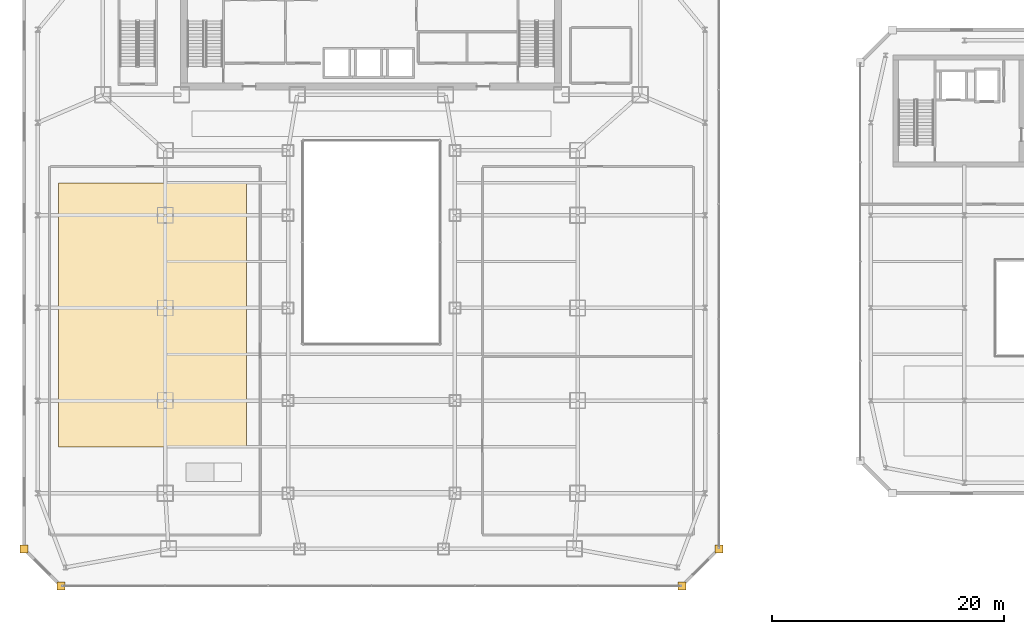
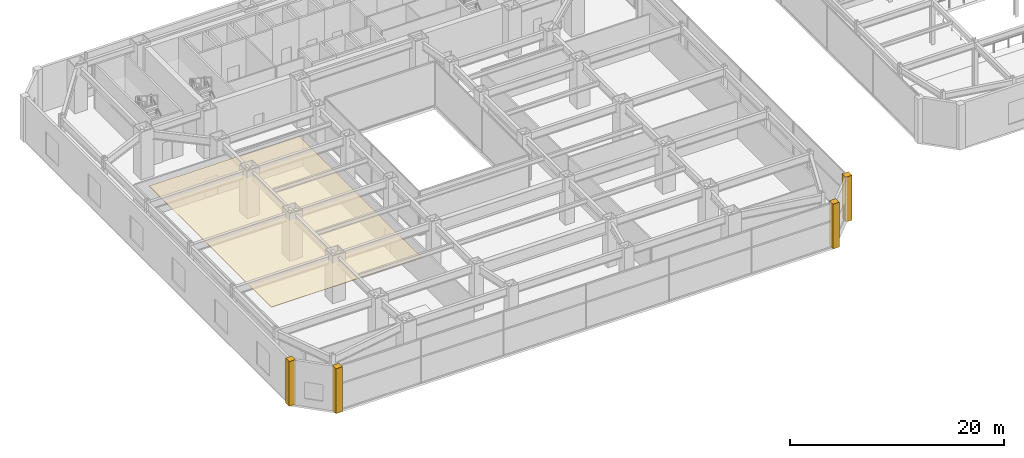
# One storey, part 45 of 52: 5 coverings.
"""IFC4 building model written with IfcOpenShell, lengths in metres."""

from ifc_helpers import new_model, si_unit, direction, frame, origin, place, context, subcontext, project, spatial, polyline, outline, extrude, material, layer, layer_set, type_object, element, save


model = new_model("IFC4")

# Units and contexts
model_context = context("Model", 3, precision=1e-05, world=origin(), true_north=direction((0.0, 1.0)))
body_context = subcontext(model_context, "Body", "Model", "MODEL_VIEW")
ifc_project = project(units=[si_unit("LENGTHUNIT", "METRE"), si_unit("AREAUNIT", "SQUARE_METRE"), si_unit("VOLUMEUNIT", "CUBIC_METRE"), si_unit("PLANEANGLEUNIT", "RADIAN"), si_unit("MASSUNIT", "GRAM", prefix="KILO")], contexts=[model_context])

# Site, building, storey
site_placement = place(None, origin())
site = spatial("IfcSite", under=ifc_project, at=site_placement, CompositionType="ELEMENT")
building_placement = place(site_placement, origin())
building = spatial("IfcBuilding", under=site, at=building_placement, Name="Saevonmaru Cultural Tower", CompositionType="ELEMENT")
storey_placement = place(building_placement, frame((0.0, 0.0, 11.39990234375)))
storey = spatial("IfcBuildingStorey", under=building, at=storey_placement, Name="L02", CompositionType="ELEMENT", Elevation=11.39990234375)

# Coverings
ifc_material_1 = material(Name="Mineral Fibre Acoustic Ceiling", Category="gypsum")
ifc_layer_1 = layer(ifc_material_1, 0.044921875, Name="Mineral Fibre Acoustic Ceiling")
ifc_layer_set_1 = layer_set([ifc_layer_1], Name="Mineral Fibre Acoustic Ceiling")
covering_type_1 = type_object("IfcCoveringType", Name="CV-CEIL-ACOUSTIC", PredefinedType="CEILING", material=ifc_layer_set_1)
covering_1_placement = place(storey_placement, frame((0.0, 0.0, 4.550048828125)))
element("IfcCovering", 1, at=covering_1_placement, inside=storey, type_object=covering_type_1, Name="L02 Cultural Wing Acoustic Suspended Ceiling", PredefinedType="CEILING", context=body_context, shape_type="SweptSolid", body=[
    extrude(outline(polyline([(3.0, 12.0), (19.199951171875, 12.0), (19.199951171875, 34.800048828125), (3.0, 34.800048828125), (3.0, 12.0)])), origin(), (0.0, 0.0, 1.0), 0.050048828125),
])
ifc_material_2 = material(Name="Satin Bronze Anodised Aluminium", Category="aluminium")
ifc_layer_2 = layer(ifc_material_2, 0.679931640625, Name="Satin Bronze Anodised Aluminium")
ifc_layer_set_2 = layer_set([ifc_layer_2], Name="Satin Bronze Anodised Aluminium")
covering_type_2 = type_object("IfcCoveringType", Name="CV-CORNER-CLAD", PredefinedType="CLADDING", material=ifc_layer_set_2)
covering_2_placement = place(storey_placement, origin())
element("IfcCovering", 2, at=covering_2_placement, inside=storey, type_object=covering_type_2, Name="L02 Podium Bronze Corner Cladding Pier 1", PredefinedType="CLADDING", context=body_context, shape_type="SweptSolid", body=[
    extrude(outline(polyline([(-0.340087890625, 2.860107421875), (0.340087890625, 2.860107421875), (0.340087890625, 3.5400390625), (-0.340087890625, 3.5400390625), (-0.340087890625, 2.860107421875)])), origin(), (0.0, 0.0, 1.0), 5.10009765625),
])
covering_3_placement = place(storey_placement, origin())
element("IfcCovering", 3, at=covering_3_placement, inside=storey, type_object=covering_type_2, Name="L02 Podium Bronze Corner Cladding Pier 2", PredefinedType="CLADDING", context=body_context, shape_type="SweptSolid", body=[
    extrude(outline(polyline([(2.860107421875, -0.340087890625), (3.5400390625, -0.340087890625), (3.5400390625, 0.340087890625), (2.860107421875, 0.340087890625), (2.860107421875, -0.340087890625)])), origin(), (0.0, 0.0, 1.0), 5.10009765625),
])
covering_4_placement = place(storey_placement, origin())
element("IfcCovering", 4, at=covering_4_placement, inside=storey, type_object=covering_type_2, Name="L02 Podium Bronze Corner Cladding Pier 3", PredefinedType="CLADDING", context=body_context, shape_type="SweptSolid", body=[
    extrude(outline(polyline([(56.4599609375, -0.340087890625), (57.139892578125, -0.340087890625), (57.139892578125, 0.340087890625), (56.4599609375, 0.340087890625), (56.4599609375, -0.340087890625)])), origin(), (0.0, 0.0, 1.0), 5.10009765625),
])
covering_5_placement = place(storey_placement, origin())
element("IfcCovering", 5, at=covering_5_placement, inside=storey, type_object=covering_type_2, Name="L02 Podium Bronze Corner Cladding Pier 4", PredefinedType="CLADDING", context=body_context, shape_type="SweptSolid", body=[
    extrude(outline(polyline([(59.659912109375, 2.860107421875), (60.340087890625, 2.860107421875), (60.340087890625, 3.5400390625), (59.659912109375, 3.5400390625), (59.659912109375, 2.860107421875)])), origin(), (0.0, 0.0, 1.0), 5.10009765625),
])

save(model, "model.ifc")
